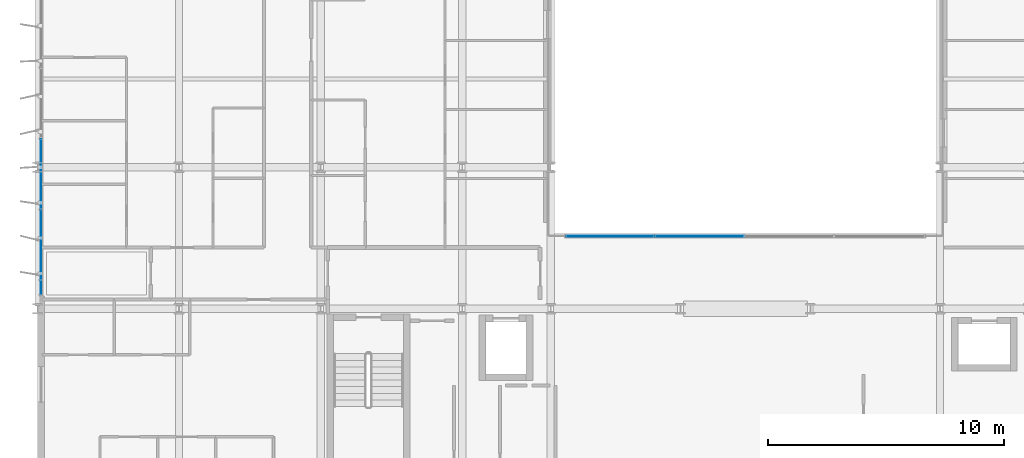
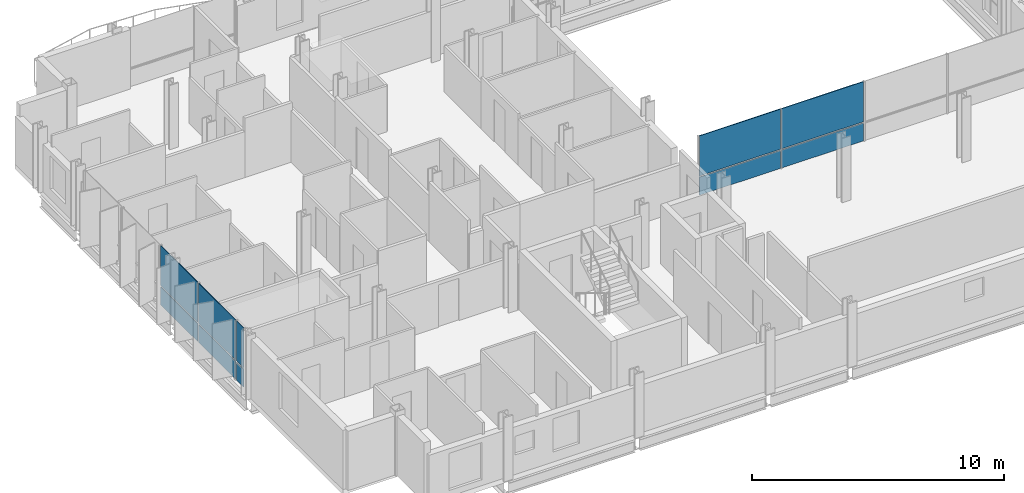
# One storey, part 22 of 38: 10 plates, 2 elements without a shape of their own.
"""IFC4 building model written with IfcOpenShell, lengths in metres."""

from ifc_helpers import new_model, si_unit, direction, frame, origin, origin_2d, place, context, subcontext, project, spatial, rectangle, extrude, material, layer, layer_set, type_object, element, aggregate, save


model = new_model("IFC4")

# Units and contexts
model_context = context("Model", 3, precision=1e-05, world=origin(), true_north=direction((0.0, 1.0)))
body_context = subcontext(model_context, "Body", "Model", "MODEL_VIEW")
ifc_project = project(units=[si_unit("LENGTHUNIT", "METRE"), si_unit("AREAUNIT", "SQUARE_METRE"), si_unit("VOLUMEUNIT", "CUBIC_METRE"), si_unit("PLANEANGLEUNIT", "RADIAN"), si_unit("MASSUNIT", "GRAM", prefix="KILO")], contexts=[model_context])

# Site, building, storey
site_placement = place(None, origin())
site = spatial("IfcSite", under=ifc_project, at=site_placement, CompositionType="ELEMENT")
building_placement = place(site_placement, origin())
building = spatial("IfcBuilding", under=site, at=building_placement, Name="Brevholm Reach", CompositionType="ELEMENT")
storey_placement = place(building_placement, frame((0.0, 0.0, 71.39990234375)))
storey = spatial("IfcBuildingStorey", under=building, at=storey_placement, Name="L20", CompositionType="ELEMENT", Elevation=71.39990234375)

# Curtain wall, plates
ifc_material_1 = material(Name="Dark Anodised Aluminium 6063-T6 and Solar-Control Glass", Category="aluminium")
ifc_layer_1 = layer(ifc_material_1, 0.14990234375)
ifc_layer_set_1 = layer_set([ifc_layer_1], Name="Dark Anodised Aluminium 6063-T6 and Solar-Control Glass")
curtain_wall_type_1 = type_object("IfcCurtainWallType", Name="CW-01", PredefinedType="NOTDEFINED", material=ifc_layer_set_1)
curtain_wall_1_placement = place(storey_placement, origin())
curtain_wall_1 = element("IfcCurtainWall", 1, at=curtain_wall_1_placement, inside=storey, type_object=curtain_wall_type_1, Name="L20 Curtain Wall CW-01", PredefinedType="NOTDEFINED")
ifc_material_2 = material(Name="Dark Solar-Control Double-Glazed IGU Glass", Category="glass")
ifc_layer_2 = layer(ifc_material_2, 0.028076171875)
ifc_layer_set_2 = layer_set([ifc_layer_2], Name="Dark Solar-Control Double-Glazed IGU Glass")
plate_type_1 = type_object("IfcPlateType", Name="CWP-GLZ-28", PredefinedType="CURTAIN_PANEL", material=ifc_layer_set_2)
plate_1_placement = place(storey_placement, frame((0.14990234375, 15.719970703125, 0.0), z_axis=(0.0, 0.0, 1.0), x_axis=(0.0, -1.0, 0.0)))
plate_1 = element("IfcPlate", 2, at=plate_1_placement, type_object=plate_type_1, Name="CP-01 Glazing Panel 3.1", PredefinedType="CURTAIN_PANEL", context=body_context, shape_type="SweptSolid", body=[
    extrude(rectangle(XDim=2.93505859375, YDim=0.028076171875, at=origin_2d()), origin(), (0.0, 0.0, 1.0), 0.867431640625),
])
plate_2_placement = place(storey_placement, frame((0.14990234375, 15.719970703125, 0.9326171875), z_axis=(0.0, 0.0, 1.0), x_axis=(0.0, -1.0, 0.0)))
plate_2 = element("IfcPlate", 3, at=plate_2_placement, type_object=plate_type_1, Name="CP-01 Glazing Panel 3.2", PredefinedType="CURTAIN_PANEL", context=body_context, shape_type="SweptSolid", body=[
    extrude(rectangle(XDim=2.93505859375, YDim=0.028076171875, at=origin_2d()), origin(), (0.0, 0.0, 1.0), 1.9375),
])
plate_3_placement = place(storey_placement, frame((0.14990234375, 12.719970703125, 0.0), z_axis=(0.0, 0.0, 1.0), x_axis=(0.0, -1.0, 0.0)))
plate_3 = element("IfcPlate", 4, at=plate_3_placement, type_object=plate_type_1, Name="CP-01 Glazing Panel 4.1", PredefinedType="CURTAIN_PANEL", context=body_context, shape_type="SweptSolid", body=[
    extrude(rectangle(XDim=2.93505859375, YDim=0.028076171875, at=origin_2d()), origin(), (0.0, 0.0, 1.0), 0.867431640625),
])
plate_4_placement = place(storey_placement, frame((0.14990234375, 12.719970703125, 0.9326171875), z_axis=(0.0, 0.0, 1.0), x_axis=(0.0, -1.0, 0.0)))
plate_4 = element("IfcPlate", 5, at=plate_4_placement, type_object=plate_type_1, Name="CP-01 Glazing Panel 4.2", PredefinedType="CURTAIN_PANEL", context=body_context, shape_type="SweptSolid", body=[
    extrude(rectangle(XDim=2.93505859375, YDim=0.028076171875, at=origin_2d()), origin(), (0.0, 0.0, 1.0), 1.9375),
])
plate_5_placement = place(storey_placement, frame((0.14990234375, 10.9013671875, 0.0), z_axis=(0.0, 0.0, 1.0), x_axis=(0.0, -1.0, 0.0)))
plate_5 = element("IfcPlate", 6, at=plate_5_placement, type_object=plate_type_1, Name="CP-01 Glazing Panel 5.1", PredefinedType="CURTAIN_PANEL", context=body_context, shape_type="SweptSolid", body=[
    extrude(rectangle(XDim=0.572509765625, YDim=0.028076171875, at=origin_2d()), origin(), (0.0, 0.0, 1.0), 0.867431640625),
])
plate_6_placement = place(storey_placement, frame((0.14990234375, 10.9013671875, 0.9326171875), z_axis=(0.0, 0.0, 1.0), x_axis=(0.0, -1.0, 0.0)))
plate_6 = element("IfcPlate", 7, at=plate_6_placement, type_object=plate_type_1, Name="CP-01 Glazing Panel 5.2", PredefinedType="CURTAIN_PANEL", context=body_context, shape_type="SweptSolid", body=[
    extrude(rectangle(XDim=0.572509765625, YDim=0.028076171875, at=origin_2d()), origin(), (0.0, 0.0, 1.0), 1.9375),
])
aggregate(curtain_wall_1, [plate_1, plate_2, plate_3, plate_4, plate_5, plate_6])

ifc_material_3 = material(Name="Dark Anodised Aluminium 6063-T6 and Solar-Control Glass", Category="aluminium")
ifc_layer_3 = layer(ifc_material_3, 0.139892578125)
ifc_layer_set_3 = layer_set([ifc_layer_3], Name="Dark Anodised Aluminium 6063-T6 and Solar-Control Glass")
curtain_wall_type_2 = type_object("IfcCurtainWallType", Name="CW-02", PredefinedType="NOTDEFINED", material=ifc_layer_set_3)
curtain_wall_2_placement = place(storey_placement, origin())
curtain_wall_2 = element("IfcCurtainWall", 8, at=curtain_wall_2_placement, inside=storey, type_object=curtain_wall_type_2, Name="L20 Curtain Wall CW-02", PredefinedType="NOTDEFINED")
ifc_material_4 = material(Name="Low-Iron Laminated Acoustic Glass", Category="glass")
ifc_layer_4 = layer(ifc_material_4, 0.035888671875)
ifc_layer_set_4 = layer_set([ifc_layer_4], Name="Low-Iron Laminated Acoustic Glass")
plate_type_2 = type_object("IfcPlateType", Name="CWP-GLZ-36", PredefinedType="CURTAIN_PANEL", material=ifc_layer_set_4)
plate_7_placement = place(storey_placement, frame((24.264892578125, 13.080078125, 0.0), z_axis=(0.0, 0.0, 1.0), x_axis=(1.0, 0.0, 0.0)))
plate_7 = element("IfcPlate", 9, at=plate_7_placement, type_object=plate_type_2, Name="CP-02 Glazing Panel 1.1", PredefinedType="CURTAIN_PANEL", context=body_context, shape_type="SweptSolid", body=[
    extrude(rectangle(XDim=3.7099609375, YDim=0.035888671875, at=origin_2d()), origin(), (0.0, 0.0, 1.0), 0.8701171875),
])
plate_8_placement = place(storey_placement, frame((24.264892578125, 13.080078125, 0.93017578125), z_axis=(0.0, 0.0, 1.0), x_axis=(1.0, 0.0, 0.0)))
plate_8 = element("IfcPlate", 10, at=plate_8_placement, type_object=plate_type_2, Name="CP-02 Glazing Panel 1.2", PredefinedType="CURTAIN_PANEL", context=body_context, shape_type="SweptSolid", body=[
    extrude(rectangle(XDim=3.7099609375, YDim=0.035888671875, at=origin_2d()), origin(), (0.0, 0.0, 1.0), 1.93994140625),
])
plate_9_placement = place(storey_placement, frame((28.050048828125, 13.080078125, 0.0), z_axis=(0.0, 0.0, 1.0), x_axis=(1.0, 0.0, 0.0)))
plate_9 = element("IfcPlate", 11, at=plate_9_placement, type_object=plate_type_2, Name="CP-02 Glazing Panel 2.1", PredefinedType="CURTAIN_PANEL", context=body_context, shape_type="SweptSolid", body=[
    extrude(rectangle(XDim=3.739990234375, YDim=0.035888671875, at=origin_2d()), origin(), (0.0, 0.0, 1.0), 0.8701171875),
])
plate_10_placement = place(storey_placement, frame((28.050048828125, 13.080078125, 0.93017578125), z_axis=(0.0, 0.0, 1.0), x_axis=(1.0, 0.0, 0.0)))
plate_10 = element("IfcPlate", 12, at=plate_10_placement, type_object=plate_type_2, Name="CP-02 Glazing Panel 2.2", PredefinedType="CURTAIN_PANEL", context=body_context, shape_type="SweptSolid", body=[
    extrude(rectangle(XDim=3.739990234375, YDim=0.035888671875, at=origin_2d()), origin(), (0.0, 0.0, 1.0), 1.93994140625),
])
aggregate(curtain_wall_2, [plate_7, plate_8, plate_9, plate_10])

save(model, "model.ifc")
